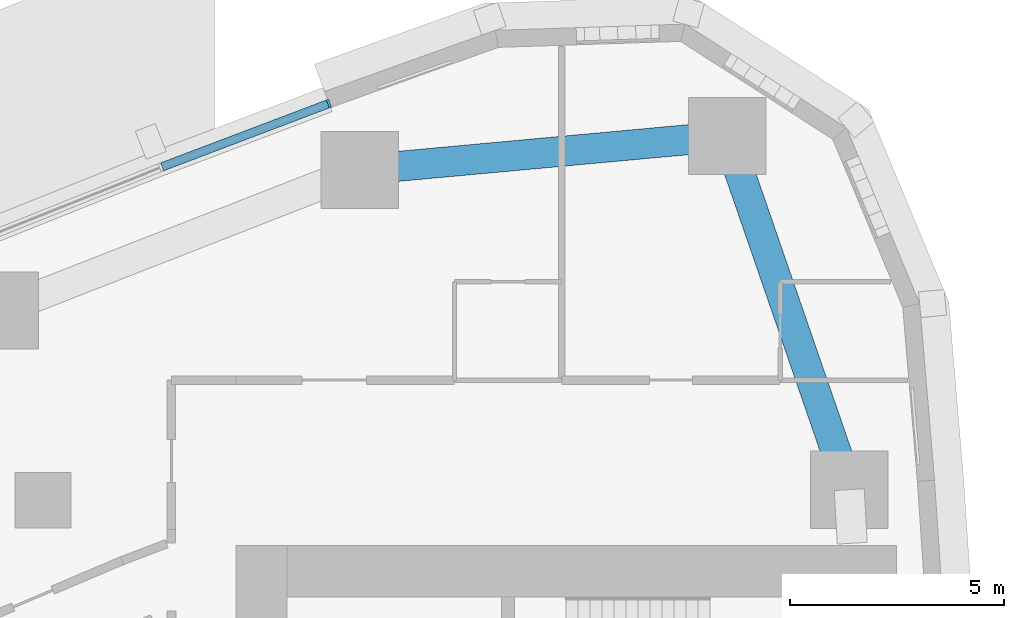
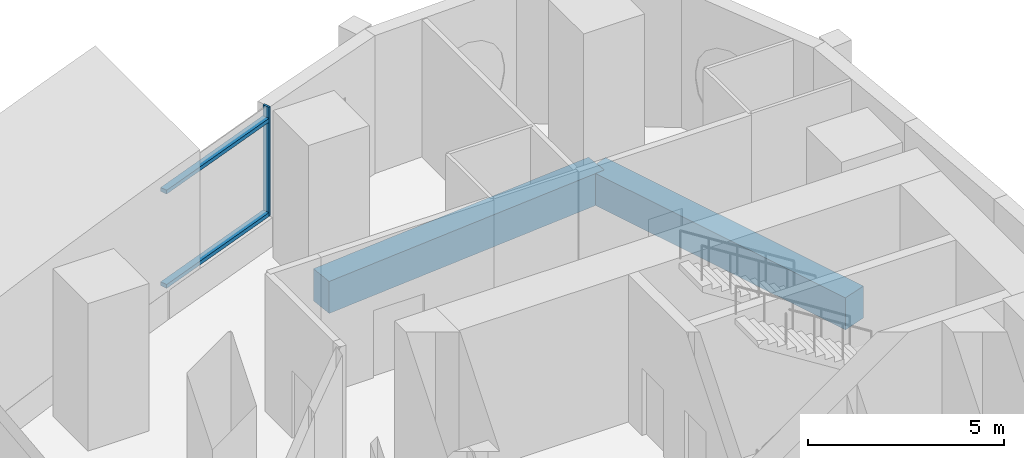
# One storey, part 7 of 20: 3 members, 2 beams, 1 element without a shape of its own.
"""IFC4 building model written with IfcOpenShell, lengths in metres."""

from ifc_helpers import new_model, si_unit, direction, frame, origin, origin_2d, place, context, subcontext, project, spatial, rectangle, extrude, material, layer, layer_set, material_profile, profile_set, type_object, element, aggregate, save


model = new_model("IFC4")

# Units and contexts
model_context = context("Model", 3, precision=1e-05, world=origin(), true_north=direction((0.0, 1.0)))
body_context = subcontext(model_context, "Body", "Model", "MODEL_VIEW")
ifc_project = project(units=[si_unit("LENGTHUNIT", "METRE"), si_unit("AREAUNIT", "SQUARE_METRE"), si_unit("VOLUMEUNIT", "CUBIC_METRE"), si_unit("PLANEANGLEUNIT", "RADIAN"), si_unit("MASSUNIT", "GRAM", prefix="KILO")], contexts=[model_context])

# Site, building, storey
site_placement = place(None, origin())
site = spatial("IfcSite", under=ifc_project, at=site_placement, CompositionType="ELEMENT")
building_placement = place(site_placement, origin())
building = spatial("IfcBuilding", under=site, at=building_placement, Name="Ostrand Prow Hotel Tower", CompositionType="ELEMENT")
storey_placement = place(building_placement, frame((0.0, 0.0, 35.0)))
storey = spatial("IfcBuildingStorey", under=building, at=storey_placement, Name="L06", CompositionType="ELEMENT", Elevation=35.0)

# Beams
ifc_material_1 = material(Name="Concrete C80/95", Category="concrete")
ifc_material_profile_1 = material_profile(ifc_material_1, rectangle(XDim=0.699951171875, YDim=1.0, at=origin_2d()), Name="RC 700x1000")
ifc_profile_set_1 = profile_set([ifc_material_profile_1], Name="Concrete C80/95")
beam_type = type_object("IfcBeamType", Name="Edge beam 700x1000 C80/95", PredefinedType="SPANDREL", material=ifc_profile_set_1)
beam_1_placement = place(storey_placement, frame((63.8134765625, 18.248779296875, -0.800048828125), z_axis=(-0.326263961413, 0.945278703602, 0.0), x_axis=(-0.945278703602, -0.326263961413, 0.0)))
element("IfcBeam", 1, at=beam_1_placement, inside=storey, type_object=beam_type, Name="Edge beam B5-NE", PredefinedType="SPANDREL", context=body_context, shape_type="SweptSolid", body=[
    extrude(rectangle(XDim=0.699951171875, YDim=1.0, at=origin_2d()), origin(), (0.0, 0.0, 1.0), 8.727294921875),
])
beam_2_placement = place(storey_placement, frame((60.966064453125, 26.49853515625, -0.800048828125), z_axis=(-0.995800189514, -0.091553167961, 0.0), x_axis=(0.091553167961, -0.995800189514, 0.0)))
element("IfcBeam", 2, at=beam_2_placement, inside=storey, type_object=beam_type, Name="Edge beam NE-N1", PredefinedType="SPANDREL", context=body_context, shape_type="SweptSolid", body=[
    extrude(rectangle(XDim=0.699951171875, YDim=1.0, at=origin_2d()), origin(), (0.0, 0.0, 1.0), 8.610595703125),
])

# Curtain wall, members
ifc_material_2 = material(Name="Insulated glass in bronze anodised frame", Category="glass")
ifc_layer = layer(ifc_material_2, 0.199951171875)
ifc_layer_set = layer_set([ifc_layer], Name="Insulated glass in bronze anodised frame")
curtain_wall_type = type_object("IfcCurtainWallType", Name="Sky lobby full-height curtain wall", PredefinedType="NOTDEFINED", material=ifc_layer_set)
curtain_wall_placement = place(storey_placement, origin())
curtain_wall = element("IfcCurtainWall", 3, at=curtain_wall_placement, inside=storey, type_object=curtain_wall_type, Name="CW3 run CWN1", PredefinedType="NOTDEFINED")
ifc_material_3 = material(Name="Bronze anodised aluminium", Category="aluminium")
ifc_material_profile_2 = material_profile(ifc_material_3, rectangle(XDim=0.199951171875, YDim=0.06005859375, at=origin_2d()), Name="Mullion 60x200 bronze anodised aluminium")
ifc_profile_set_2 = profile_set([ifc_material_profile_2], Name="Bronze anodised aluminium")
member_type_1 = type_object("IfcMemberType", Name="Mullion 60x200 bronze anodised aluminium", PredefinedType="MULLION", material=ifc_profile_set_2)
member_1_placement = place(storey_placement, frame((51.674560546875, 27.2578125, 0.89990234375), z_axis=(0.0, 0.0, 1.0), x_axis=(0.354728407072, -0.934969388384, 0.0)))
member_1 = element("IfcMember", 4, at=member_1_placement, type_object=member_type_1, Name="CW3 mullion 1", PredefinedType="MULLION", context=body_context, shape_type="SweptSolid", body=[
    extrude(rectangle(XDim=0.199951171875, YDim=0.06005859375, at=origin_2d()), origin(), (0.0, 0.0, 1.0), 3.400146484375),
])
ifc_material_4 = material(Name="Bronze anodised aluminium", Category="aluminium")
ifc_material_profile_3 = material_profile(ifc_material_4, rectangle(XDim=0.199951171875, YDim=0.1201171875, at=origin_2d()), Name="Transom 120x200 bronze anodised aluminium")
ifc_profile_set_3 = profile_set([ifc_material_profile_3], Name="Bronze anodised aluminium")
member_type_2 = type_object("IfcMemberType", Name="Transom 120x200 bronze anodised aluminium", PredefinedType="USERDEFINED", material=ifc_profile_set_3)
member_2_placement = place(storey_placement, frame((51.646484375, 27.2470703125, 0.9599609375), z_axis=(-0.93497051437, -0.354725439261, 0.0), x_axis=(0.354725439261, -0.93497051437, 0.0)))
member_2 = element("IfcMember", 5, at=member_2_placement, type_object=member_type_2, Name="CW3 transom 1.1", ObjectType="TRANSOM", PredefinedType="USERDEFINED", context=body_context, shape_type="SweptSolid", body=[
    extrude(rectangle(XDim=0.199951171875, YDim=0.1201171875, at=origin_2d()), origin(), (0.0, 0.0, 1.0), 4.13427734375),
])
member_3_placement = place(storey_placement, frame((51.646484375, 27.2470703125, 3.89990234375), z_axis=(-0.93497051437, -0.354725439261, 0.0), x_axis=(0.354725439261, -0.93497051437, 0.0)))
member_3 = element("IfcMember", 6, at=member_3_placement, type_object=member_type_2, Name="CW3 transom 1.2", ObjectType="TRANSOM", PredefinedType="USERDEFINED", context=body_context, shape_type="SweptSolid", body=[
    extrude(rectangle(XDim=0.199951171875, YDim=0.1201171875, at=origin_2d()), origin(), (0.0, 0.0, 1.0), 4.13427734375),
])
aggregate(curtain_wall, [member_1, member_2, member_3])

save(model, "model.ifc")
